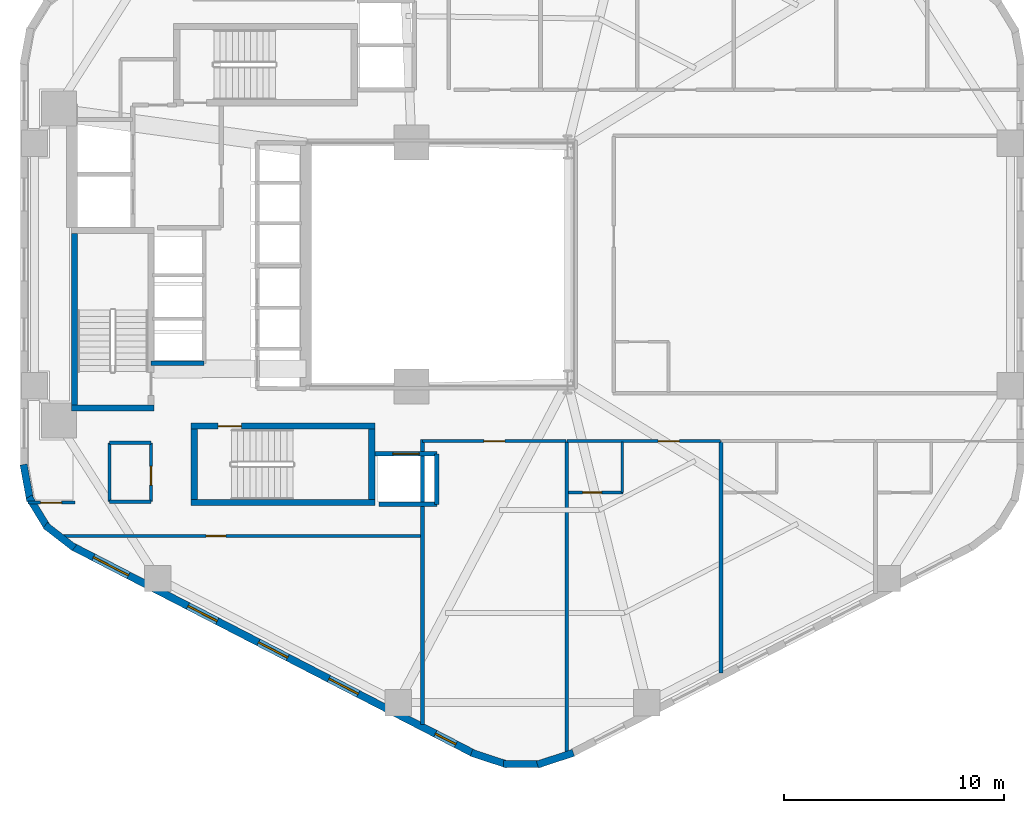
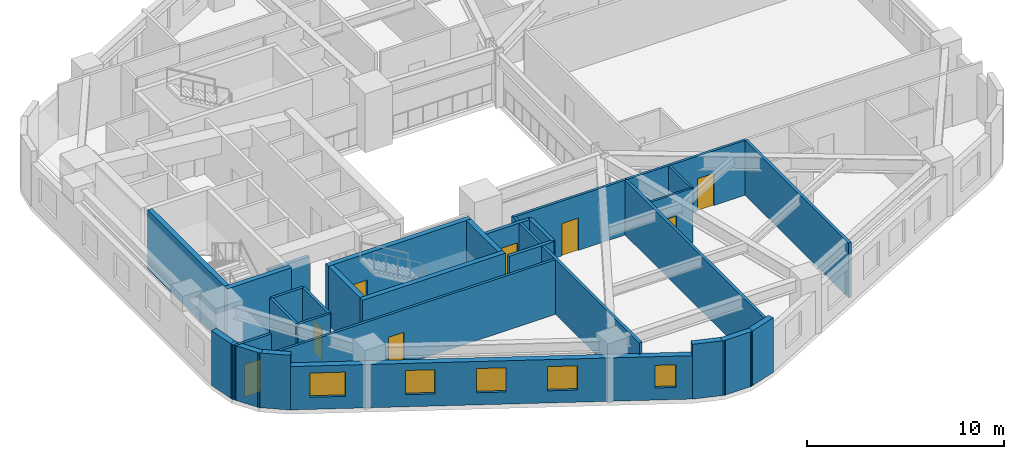
# One storey, part 2 of 7: 30 walls, 8 doors, 5 windows, 13 openings.
"""IFC4 building model written with IfcOpenShell, lengths in metres."""

from ifc_helpers import new_model, si_unit, direction, frame, frame_2d, origin, place, context, subcontext, project, spatial, rectangle, extrude, material, layer, layer_set, type_object, element, fill, save


model = new_model("IFC4")

# Units and contexts
model_context = context("Model", 3, precision=1e-05, world=origin(), true_north=direction((0.0, 1.0)))
body_context = subcontext(model_context, "Body", "Model", "MODEL_VIEW")
ifc_project = project(units=[si_unit("LENGTHUNIT", "METRE"), si_unit("AREAUNIT", "SQUARE_METRE"), si_unit("VOLUMEUNIT", "CUBIC_METRE"), si_unit("PLANEANGLEUNIT", "RADIAN"), si_unit("MASSUNIT", "GRAM", prefix="KILO"), si_unit("THERMODYNAMICTEMPERATUREUNIT", "KELVIN"), si_unit("POWERUNIT", "WATT")], contexts=[model_context])

# Site, building, storey
site_placement = place(None, origin())
site = spatial("IfcSite", under=ifc_project, at=site_placement, CompositionType="ELEMENT")
building_placement = place(site_placement, origin())
building = spatial("IfcBuilding", under=site, at=building_placement, Name="Skarre Station Tower", CompositionType="ELEMENT")
storey_placement = place(building_placement, frame((0.0, 0.0, 85.39990234375)))
storey = spatial("IfcBuildingStorey", under=building, at=storey_placement, Name="L22", CompositionType="ELEMENT", Elevation=85.39990234375)

# Walls
ifc_material_1 = material(Name="Acoustic Steel-Stud Gypsum Partition", Category="steel")
ifc_layer_1 = layer(ifc_material_1, 0.14990234375, Name="Acoustic Steel-Stud Gypsum Partition")
ifc_layer_set_1 = layer_set([ifc_layer_1], Name="Acoustic Steel-Stud Gypsum Partition")
wall_type_1 = type_object("IfcWallType", Name="Fire-Rated Corridor Acoustic Partition 150", PredefinedType="PARTITIONING", material=ifc_layer_set_1)
wall_1_placement = place(storey_placement, frame((18.60009765625, 15.8798828125, 0.0), z_axis=(0.0, 0.0, 1.0), x_axis=(0.0, -1.0, 0.0)))
element("IfcWall", 1, at=wall_1_placement, inside=storey, type_object=wall_type_1, Name="L22 Interior Partition WL-PT-L22-CSVC-W", PredefinedType="PARTITIONING", context=body_context, shape_type="SweptSolid", body=[
    extrude(rectangle(XDim=2.679931640625, YDim=0.14990234375, at=frame_2d((1.33984375, 0.0))), origin(), (0.0, 0.0, 1.0), 3.39013671875),
])
for number, where, z_axis, x_axis, name in (
    (2, (18.60009765625, 13.199951171875, 0.0), (0.0, 0.0, 1.0), (1.0, 0.0, 0.0), "L22 Interior Partition WL-PT-L22-CSVC-S"),
    (3, (18.60009765625, 15.8798828125, 0.0), (0.0, 0.0, 1.0), (1.0, 0.0, 0.0), "L22 Interior Partition WL-PT-L22-CSVC-N"),
):
    element("IfcWall", number, at=place(storey_placement, frame(where, z_axis=z_axis, x_axis=x_axis)), inside=storey, type_object=wall_type_1, Name=name, PredefinedType="PARTITIONING", context=body_context, shape_type="SweptSolid", body=[
        extrude(rectangle(XDim=1.889892578125, YDim=0.14990234375, at=frame_2d((0.94482421875, 0.0))), origin(), (0.0, 0.0, 1.0), 3.39013671875),
    ])

# Wall, opening, door
wall_2_placement = place(storey_placement, frame((20.489990234375, 13.199951171875, 0.0), z_axis=(0.0, 0.0, 1.0), x_axis=(0.0, 1.0, 0.0)))
wall_2 = element("IfcWall", 4, at=wall_2_placement, inside=storey, type_object=wall_type_1, Name="L22 Interior Partition WL-PT-L22-CSVC-E", PredefinedType="PARTITIONING", context=body_context, shape_type="SweptSolid", body=[
    extrude(rectangle(XDim=2.679931640625, YDim=0.14990234375, at=frame_2d((1.33984375, 0.0))), origin(), (0.0, 0.0, 1.0), 3.39013671875),
])
opening_1_placement = place(wall_2_placement, frame((0.75, 0.0, 0.0)))
opening_1 = element("IfcOpeningElement", 5, at=opening_1_placement, cuts=wall_2, Name="Opening DR-SVC86", PredefinedType="OPENING", context=body_context, shape_type="SweptSolid", body=[
    extrude(rectangle(XDim=0.860107421875, YDim=2.0, at=frame_2d((0.43017578125, 1.0))), frame((0.0, 0.0849609375, 0.0), z_axis=(0.0, -1.0, 0.0), x_axis=(1.0, 0.0, 0.0)), (0.0, 0.0, 1.0), 0.169921875),
])
ifc_material_2 = material(Name="Powder-Coated Hollow-Metal Acoustic Fire Leaf", Category="steel")
door_type_1 = type_object("IfcDoorType", Name="Compact Riser Fire Door FD60 860x2100", OperationType="SINGLE_SWING_LEFT", PredefinedType="DOOR", material=ifc_material_2)
door_1_placement = place(opening_1_placement, origin())
door_1 = element("IfcDoor", 6, at=door_1_placement, inside=storey, type_object=door_type_1, Name="L22 Supply Room Door", OperationType="SINGLE_SWING_LEFT", OverallHeight=2.0, OverallWidth=0.860107421875, PredefinedType="DOOR", context=body_context, shape_type="SweptSolid", body=[
    extrude(rectangle(XDim=0.860107421875, YDim=2.0, at=frame_2d((0.43017578125, 1.0))), frame((0.0, 0.02490234375, 0.0), z_axis=(0.0, -1.0, 0.0), x_axis=(1.0, 0.0, 0.0)), (0.0, 0.0, 1.0), 0.050048828125),
])
fill(opening_1, door_1)

wall_3_placement = place(storey_placement, frame((16.487060546875, 11.639892578125, 0.0), z_axis=(0.0, 0.0, 1.0), x_axis=(1.0, 0.0, 0.0)))
wall_3 = element("IfcWall", 7, at=wall_3_placement, inside=storey, type_object=wall_type_1, Name="L22 Interior Partition WL-PT-L22-SWP-N", PredefinedType="PARTITIONING", context=body_context, shape_type="SweptSolid", body=[
    extrude(rectangle(XDim=16.363037109375, YDim=0.14990234375, at=frame_2d((8.181640625, 0.0))), origin(), (0.0, 0.0, 1.0), 3.39013671875),
])
opening_2_placement = place(wall_3_placement, frame((6.512939453125, 0.0, 0.0)))
opening_2 = element("IfcOpeningElement", 8, at=opening_2_placement, cuts=wall_3, Name="Opening DR-SVC90", PredefinedType="OPENING", context=body_context, shape_type="SweptSolid", body=[
    extrude(rectangle(XDim=0.89990234375, YDim=2.0, at=frame_2d((0.449951171875, 1.0))), frame((0.0, 0.0849609375, 0.0), z_axis=(0.0, -1.0, 0.0), x_axis=(1.0, 0.0, 0.0)), (0.0, 0.0, 1.0), 0.169921875),
])
door_type_2 = type_object("IfcDoorType", Name="Service & Riser Fire Door FD60 900x2100", OperationType="SINGLE_SWING_LEFT", PredefinedType="DOOR", material=ifc_material_2)
door_2_placement = place(opening_2_placement, origin())
door_2 = element("IfcDoor", 9, at=door_2_placement, inside=storey, type_object=door_type_2, Name="L22 Floor Public Toilets Door", OperationType="SINGLE_SWING_LEFT", OverallHeight=2.0, OverallWidth=0.89990234375, PredefinedType="DOOR", context=body_context, shape_type="SweptSolid", body=[
    extrude(rectangle(XDim=0.89990234375, YDim=2.0, at=frame_2d((0.449951171875, 1.0))), frame((0.0, 0.02490234375, 0.0), z_axis=(0.0, -1.0, 0.0), x_axis=(1.0, 0.0, 0.0)), (0.0, 0.0, 1.0), 0.050048828125),
])
fill(opening_2, door_2)

wall_4_placement = place(storey_placement, frame((17.02001953125, 13.159912109375, 0.0), z_axis=(0.0, 0.0, 1.0), x_axis=(-1.0, 0.0, 0.0)))
wall_4 = element("IfcWall", 10, at=wall_4_placement, inside=storey, type_object=wall_type_1, Name="L22 Interior Partition WL-PT-L22-WW1-CW", PredefinedType="PARTITIONING", context=body_context, shape_type="SweptSolid", body=[
    extrude(rectangle(XDim=2.1201171875, YDim=0.14990234375, at=frame_2d((1.06005859375, 0.0))), origin(), (0.0, 0.0, 1.0), 3.39013671875),
])
opening_3_placement = place(wall_4_placement, frame((0.596923828125, 0.0, 0.0)))
opening_3 = element("IfcOpeningElement", 11, at=opening_3_placement, cuts=wall_4, Name="Opening DR-FD60", PredefinedType="OPENING", context=body_context, shape_type="SweptSolid", body=[
    extrude(rectangle(XDim=0.9599609375, YDim=2.0, at=frame_2d((0.47998046875, 1.0))), frame((0.0, 0.0849609375, 0.0), z_axis=(0.0, -1.0, 0.0), x_axis=(1.0, 0.0, 0.0)), (0.0, 0.0, 1.0), 0.169921875),
])
ifc_material_3 = material(Name="Nordic White-Oak Veneer Solid-Core Fire Leaf", Category="wood")
door_type_3 = type_object("IfcDoorType", Name="Corridor Suite Entry Fire Door FD60 960x2150", OperationType="SINGLE_SWING_LEFT", PredefinedType="DOOR", material=ifc_material_3)
door_3_placement = place(opening_3_placement, origin())
door_3 = element("IfcDoor", 12, at=door_3_placement, inside=storey, type_object=door_type_3, Name="L22 WW1 Entry Door", OperationType="SINGLE_SWING_LEFT", OverallHeight=2.0, OverallWidth=0.9599609375, PredefinedType="DOOR", context=body_context, shape_type="SweptSolid", body=[
    extrude(rectangle(XDim=0.9599609375, YDim=2.0, at=frame_2d((0.47998046875, 1.0))), frame((0.0, 0.02490234375, 0.0), z_axis=(0.0, -1.0, 0.0), x_axis=(1.0, 0.0, 0.0)), (0.0, 0.0, 1.0), 0.050048828125),
])
fill(opening_3, door_3)

wall_5_placement = place(storey_placement, frame((32.85009765625, 15.9599609375, 0.0), z_axis=(0.0, 0.0, 1.0), x_axis=(1.0, 0.0, 0.0)))
wall_5 = element("IfcWall", 13, at=wall_5_placement, inside=storey, type_object=wall_type_1, Name="L22 Interior Partition WL-PT-L22-SW1-CW", PredefinedType="PARTITIONING", context=body_context, shape_type="SweptSolid", body=[
    extrude(rectangle(XDim=6.5419921875, YDim=0.14990234375, at=frame_2d((3.27099609375, 0.0))), origin(), (0.0, 0.0, 1.0), 3.39013671875),
])
opening_4_placement = place(wall_5_placement, frame((2.791015625, 0.0, 0.0)))
opening_4 = element("IfcOpeningElement", 14, at=opening_4_placement, cuts=wall_5, Name="Opening DR-FD60", PredefinedType="OPENING", context=body_context, shape_type="SweptSolid", body=[
    extrude(rectangle(XDim=0.9599609375, YDim=2.0, at=frame_2d((0.47998046875, 1.0))), frame((0.0, 0.0849609375, 0.0), z_axis=(0.0, -1.0, 0.0), x_axis=(1.0, 0.0, 0.0)), (0.0, 0.0, 1.0), 0.169921875),
])
door_4_placement = place(opening_4_placement, origin())
door_4 = element("IfcDoor", 15, at=door_4_placement, inside=storey, type_object=door_type_3, Name="L22 SW1 Entry Door", OperationType="SINGLE_SWING_LEFT", OverallHeight=2.0, OverallWidth=0.9599609375, PredefinedType="DOOR", context=body_context, shape_type="SweptSolid", body=[
    extrude(rectangle(XDim=0.9599609375, YDim=2.0, at=frame_2d((0.47998046875, 1.0))), frame((0.0, 0.02490234375, 0.0), z_axis=(0.0, -1.0, 0.0), x_axis=(1.0, 0.0, 0.0)), (0.0, 0.0, 1.0), 0.050048828125),
])
fill(opening_4, door_4)

wall_6_placement = place(storey_placement, frame((39.427978515625, 15.9599609375, 0.0), z_axis=(0.0, 0.0, 1.0), x_axis=(1.0, 0.0, 0.0)))
wall_6 = element("IfcWall", 16, at=wall_6_placement, inside=storey, type_object=wall_type_1, Name="L22 Interior Partition WL-PT-L22-SW2-CW", PredefinedType="PARTITIONING", context=body_context, shape_type="SweptSolid", body=[
    extrude(rectangle(XDim=6.99609375, YDim=0.14990234375, at=frame_2d((3.498046875, 0.0))), origin(), (0.0, 0.0, 1.0), 3.39013671875),
])
opening_5_placement = place(wall_6_placement, frame((4.153076171875, 0.0, 0.0)))
opening_5 = element("IfcOpeningElement", 17, at=opening_5_placement, cuts=wall_6, Name="Opening DR-FD60", PredefinedType="OPENING", context=body_context, shape_type="SweptSolid", body=[
    extrude(rectangle(XDim=0.9599609375, YDim=2.0, at=frame_2d((0.47998046875, 1.0))), frame((0.0, 0.0849609375, 0.0), z_axis=(0.0, -1.0, 0.0), x_axis=(1.0, 0.0, 0.0)), (0.0, 0.0, 1.0), 0.169921875),
])
door_5_placement = place(opening_5_placement, origin())
door_5 = element("IfcDoor", 18, at=door_5_placement, inside=storey, type_object=door_type_3, Name="L22 SW2 Entry Door", OperationType="SINGLE_SWING_LEFT", OverallHeight=2.0, OverallWidth=0.9599609375, PredefinedType="DOOR", context=body_context, shape_type="SweptSolid", body=[
    extrude(rectangle(XDim=0.9599609375, YDim=2.0, at=frame_2d((0.47998046875, 1.0))), frame((0.0, 0.02490234375, 0.0), z_axis=(0.0, -1.0, 0.0), x_axis=(1.0, 0.0, 0.0)), (0.0, 0.0, 1.0), 0.050048828125),
])
fill(opening_5, door_5)

ifc_material_4 = material(Name="Insulated Timber-Stud Gypsum Partition", Category="wood")
ifc_layer_2 = layer(ifc_material_4, 0.1201171875, Name="Insulated Timber-Stud Gypsum Partition")
ifc_layer_set_2 = layer_set([ifc_layer_2], Name="Insulated Timber-Stud Gypsum Partition")
wall_type_2 = type_object("IfcWallType", Name="Internal Suite Acoustic Partition 120", PredefinedType="PARTITIONING", material=ifc_layer_set_2)
wall_7_placement = place(storey_placement, frame((39.4951171875, 13.6201171875, 0.0), z_axis=(0.0, 0.0, 1.0), x_axis=(1.0, 0.0, 0.0)))
wall_7 = element("IfcWall", 19, at=wall_7_placement, inside=storey, type_object=wall_type_2, Name="L22 Interior Partition WL-PT-L22-SW2-SA1", PredefinedType="PARTITIONING", context=body_context, shape_type="SweptSolid", body=[
    extrude(rectangle(XDim=2.47998046875, YDim=0.1201171875, at=frame_2d((1.239990234375, 0.0))), origin(), (0.0, 0.0, 1.0), 3.39013671875),
])
opening_6_placement = place(wall_7_placement, frame((0.64990234375, 0.0, 0.0)))
opening_6 = element("IfcOpeningElement", 20, at=opening_6_placement, cuts=wall_7, Name="Opening DR-INT86", PredefinedType="OPENING", context=body_context, shape_type="SweptSolid", body=[
    extrude(rectangle(XDim=0.860107421875, YDim=2.0, at=frame_2d((0.43017578125, 1.0))), frame((0.0, 0.070068359375, 0.0), z_axis=(0.0, -1.0, 0.0), x_axis=(1.0, 0.0, 0.0)), (0.0, 0.0, 1.0), 0.14013671875),
])
ifc_material_5 = material(Name="Nordic Birch Acoustic Solid-Core Timber Leaf", Category="wood")
door_type_4 = type_object("IfcDoorType", Name="Internal En-Suite & Bedroom Door 860x2100", OperationType="SINGLE_SWING_LEFT", PredefinedType="DOOR", material=ifc_material_5)
door_6_placement = place(opening_6_placement, origin())
door_6 = element("IfcDoor", 21, at=door_6_placement, inside=storey, type_object=door_type_4, Name="L22 SW2 Alcove Store Door", OperationType="SINGLE_SWING_LEFT", OverallHeight=2.0, OverallWidth=0.860107421875, PredefinedType="DOOR", context=body_context, shape_type="SweptSolid", body=[
    extrude(rectangle(XDim=0.860107421875, YDim=2.0, at=frame_2d((0.43017578125, 1.0))), frame((0.0, 0.02490234375, 0.0), z_axis=(0.0, -1.0, 0.0), x_axis=(1.0, 0.0, 0.0)), (0.0, 0.0, 1.0), 0.050048828125),
])
fill(opening_6, door_6)

# Wall
wall_8_placement = place(storey_placement, frame((41.945068359375, 13.6201171875, 0.0), z_axis=(0.0, 0.0, 1.0), x_axis=(0.0, 1.0, 0.0)))
element("IfcWall", 22, at=wall_8_placement, inside=storey, type_object=wall_type_2, Name="L22 Interior Partition WL-PT-L22-SW2-SA2", PredefinedType="PARTITIONING", context=body_context, shape_type="SweptSolid", body=[
    extrude(rectangle(XDim=2.2998046875, YDim=0.1201171875, at=frame_2d((1.14990234375, 0.0))), origin(), (0.0, 0.0, 1.0), 3.39013671875),
])

# Wall, openings, windows
ifc_material_6 = material(Name="Precast concrete C45/55", Category="concrete")
ifc_layer_3 = layer(ifc_material_6, 0.340087890625, Name="Precast concrete C45/55")
ifc_layer_set_3 = layer_set([ifc_layer_3], Name="Precast concrete C45/55")
wall_type_3 = type_object("IfcWallType", Name="Nordic Honed Precast Facet Wall 340", PredefinedType="STANDARD", material=ifc_layer_set_3)
wall_9_placement = place(storey_placement, frame((35.1689453125, 1.742919921875, 0.0), z_axis=(0.0, 0.0, 1.0), x_axis=(-0.888634413993, 0.458616264721, 0.0)))
wall_9 = element("IfcWall", 23, at=wall_9_placement, inside=storey, type_object=wall_type_3, Name="L22 Facet 3 Nordic Precast Masonry Wall", PredefinedType="STANDARD", context=body_context, shape_type="SweptSolid", body=[
    extrude(rectangle(XDim=20.53125, YDim=0.340087890625, at=frame_2d((10.265625, 0.0))), origin(), (0.0, 0.0, 1.0), 2.68408203125),
])
opening_7_placement = place(wall_9_placement, frame((0.902099609375, 0.0, 0.75)))
opening_7 = element("IfcOpeningElement", 24, at=opening_7_placement, cuts=wall_9, Name="Opening WN-SLT", PredefinedType="OPENING", context=body_context, shape_type="SweptSolid", body=[
    extrude(rectangle(XDim=1.050048828125, YDim=1.39990234375, at=frame_2d((0.52490234375, 0.699951171875))), frame((0.0, 0.179931640625, 0.0), z_axis=(0.0, -1.0, 0.0), x_axis=(1.0, 0.0, 0.0)), (0.0, 0.0, 1.0), 0.360107421875),
])
opening_8_placement = place(wall_9_placement, frame((5.903076171875, 0.0, 0.75)))
opening_8 = element("IfcOpeningElement", 25, at=opening_8_placement, cuts=wall_9, Name="Opening WN-Z1B", PredefinedType="OPENING", context=body_context, shape_type="SweptSolid", body=[
    extrude(rectangle(XDim=1.5, YDim=1.5, at=frame_2d((0.75, 0.75))), frame((0.0, 0.179931640625, 0.0), z_axis=(0.0, -1.0, 0.0), x_axis=(1.0, 0.0, 0.0)), (0.0, 0.0, 1.0), 0.360107421875),
])
opening_9_placement = place(wall_9_placement, frame((9.51611328125, 0.0, 0.75)))
opening_9 = element("IfcOpeningElement", 26, at=opening_9_placement, cuts=wall_9, Name="Opening WN-Z1B", PredefinedType="OPENING", context=body_context, shape_type="SweptSolid", body=[
    extrude(rectangle(XDim=1.5, YDim=1.5, at=frame_2d((0.75, 0.75))), frame((0.0, 0.179931640625, 0.0), z_axis=(0.0, -1.0, 0.0), x_axis=(1.0, 0.0, 0.0)), (0.0, 0.0, 1.0), 0.360107421875),
])
opening_10_placement = place(wall_9_placement, frame((13.12890625, 0.0, 0.75)))
opening_10 = element("IfcOpeningElement", 27, at=opening_10_placement, cuts=wall_9, Name="Opening WN-Z1B", PredefinedType="OPENING", context=body_context, shape_type="SweptSolid", body=[
    extrude(rectangle(XDim=1.5, YDim=1.5, at=frame_2d((0.75, 0.75))), frame((0.0, 0.179931640625, 0.0), z_axis=(0.0, -1.0, 0.0), x_axis=(1.0, 0.0, 0.0)), (0.0, 0.0, 1.0), 0.360107421875),
])
opening_11_placement = place(wall_9_placement, frame((17.673095703125, 0.0, 0.75)))
opening_11 = element("IfcOpeningElement", 28, at=opening_11_placement, cuts=wall_9, Name="Opening WN-Z1A", PredefinedType="OPENING", context=body_context, shape_type="SweptSolid", body=[
    extrude(rectangle(XDim=1.800048828125, YDim=1.5, at=frame_2d((0.89990234375, 0.75))), frame((0.0, 0.179931640625, 0.0), z_axis=(0.0, -1.0, 0.0), x_axis=(1.0, 0.0, 0.0)), (0.0, 0.0, 1.0), 0.360107421875),
])
ifc_material_7 = material(Name="Low-Iron Triple Glazing with Bronze Anodized Frame", Category="glass")
window_type_1 = type_object("IfcWindowType", Name="Nordic Corner Slot Window 1050x1400", PartitioningType="SINGLE_PANEL", PredefinedType="WINDOW", material=ifc_material_7)
window_1_placement = place(opening_7_placement, origin())
window_1 = element("IfcWindow", 29, at=window_1_placement, inside=storey, type_object=window_type_1, Name="L22 Facade Window WL-FAC-L22-F3-1", OverallHeight=1.39990234375, OverallWidth=1.050048828125, PartitioningType="SINGLE_PANEL", PredefinedType="WINDOW", context=body_context, shape_type="SweptSolid", body=[
    extrude(rectangle(XDim=1.050048828125, YDim=1.39990234375, at=frame_2d((0.52490234375, 0.699951171875))), frame((0.0, 0.030029296875, 0.0), z_axis=(0.0, -1.0, 0.0), x_axis=(1.0, 0.0, 0.0)), (0.0, 0.0, 1.0), 0.06005859375),
])
fill(opening_7, window_1)
window_type_2 = type_object("IfcWindowType", Name="Nordic Punched Triple-Glazed Window 1500x1500", PartitioningType="SINGLE_PANEL", PredefinedType="WINDOW", material=ifc_material_7)
window_2_placement = place(opening_8_placement, origin())
window_2 = element("IfcWindow", 30, at=window_2_placement, inside=storey, type_object=window_type_2, Name="L22 Facade Window WL-FAC-L22-F3-2", OverallHeight=1.5, OverallWidth=1.5, PartitioningType="SINGLE_PANEL", PredefinedType="WINDOW", context=body_context, shape_type="SweptSolid", body=[
    extrude(rectangle(XDim=1.5, YDim=1.5, at=frame_2d((0.75, 0.75))), frame((0.0, 0.030029296875, 0.0), z_axis=(0.0, -1.0, 0.0), x_axis=(1.0, 0.0, 0.0)), (0.0, 0.0, 1.0), 0.06005859375),
])
fill(opening_8, window_2)
window_3_placement = place(opening_9_placement, origin())
window_3 = element("IfcWindow", 31, at=window_3_placement, inside=storey, type_object=window_type_2, Name="L22 Facade Window WL-FAC-L22-F3-3", OverallHeight=1.5, OverallWidth=1.5, PartitioningType="SINGLE_PANEL", PredefinedType="WINDOW", context=body_context, shape_type="SweptSolid", body=[
    extrude(rectangle(XDim=1.5, YDim=1.5, at=frame_2d((0.75, 0.75))), frame((0.0, 0.030029296875, 0.0), z_axis=(0.0, -1.0, 0.0), x_axis=(1.0, 0.0, 0.0)), (0.0, 0.0, 1.0), 0.06005859375),
])
fill(opening_9, window_3)
window_4_placement = place(opening_10_placement, origin())
window_4 = element("IfcWindow", 32, at=window_4_placement, inside=storey, type_object=window_type_2, Name="L22 Facade Window WL-FAC-L22-F3-4", OverallHeight=1.5, OverallWidth=1.5, PartitioningType="SINGLE_PANEL", PredefinedType="WINDOW", context=body_context, shape_type="SweptSolid", body=[
    extrude(rectangle(XDim=1.5, YDim=1.5, at=frame_2d((0.75, 0.75))), frame((0.0, 0.030029296875, 0.0), z_axis=(0.0, -1.0, 0.0), x_axis=(1.0, 0.0, 0.0)), (0.0, 0.0, 1.0), 0.06005859375),
])
fill(opening_10, window_4)
window_type_3 = type_object("IfcWindowType", Name="Nordic Punched Triple-Glazed Window 1800x1500", PartitioningType="SINGLE_PANEL", PredefinedType="WINDOW", material=ifc_material_7)
window_5_placement = place(opening_11_placement, origin())
window_5 = element("IfcWindow", 33, at=window_5_placement, inside=storey, type_object=window_type_3, Name="L22 Facade Window WL-FAC-L22-F3-5", OverallHeight=1.5, OverallWidth=1.800048828125, PartitioningType="SINGLE_PANEL", PredefinedType="WINDOW", context=body_context, shape_type="SweptSolid", body=[
    extrude(rectangle(XDim=1.800048828125, YDim=1.5, at=frame_2d((0.89990234375, 0.75))), frame((0.0, 0.030029296875, 0.0), z_axis=(0.0, -1.0, 0.0), x_axis=(1.0, 0.0, 0.0)), (0.0, 0.0, 1.0), 0.06005859375),
])
fill(opening_11, window_5)

# Walls
ifc_layer_4 = layer(ifc_material_6, 0.330078125, Name="Precast concrete C45/55")
ifc_layer_set_4 = layer_set([ifc_layer_4], Name="Precast concrete C45/55")
wall_type_4 = type_object("IfcWallType", Name="Nordic Rounded Corner Precast Wall 330", PredefinedType="STANDARD", material=ifc_layer_set_4)
wall_10_placement = place(storey_placement, frame((16.998046875, 11.09912109375, 0.0), z_axis=(0.0, 0.0, 1.0), x_axis=(-0.790691856293, 0.61221433207, 0.0)))
element("IfcWall", 34, at=wall_10_placement, inside=storey, type_object=wall_type_4, Name="L22 Rounded Corner Precast Wall F3-1", PredefinedType="STANDARD", context=body_context, shape_type="SweptSolid", body=[
    extrude(rectangle(XDim=1.67578125, YDim=0.330078125, at=frame_2d((0.837890625, 0.0))), origin(), (0.0, 0.0, 1.0), 3.39013671875),
])
wall_11_placement = place(storey_placement, frame((15.798095703125, 11.985107421875, 0.0), z_axis=(0.0, 0.0, 1.0), x_axis=(-0.520584129191, 0.853810379671, 0.0)))
element("IfcWall", 35, at=wall_11_placement, inside=storey, type_object=wall_type_4, Name="L22 Rounded Corner Precast Wall F3-2", PredefinedType="STANDARD", context=body_context, shape_type="SweptSolid", body=[
    extrude(rectangle(XDim=1.677001953125, YDim=0.330078125, at=frame_2d((0.83837890625, 0.0))), origin(), (0.0, 0.0, 1.0), 3.39013671875),
])
wall_12_placement = place(storey_placement, frame((14.991943359375, 13.241943359375, 0.0), z_axis=(0.0, 0.0, 1.0), x_axis=(-0.181714143354, 0.983351397063, 0.0)))
element("IfcWall", 36, at=wall_12_placement, inside=storey, type_object=wall_type_4, Name="L22 Rounded Corner Precast Wall F3-3", PredefinedType="STANDARD", context=body_context, shape_type="SweptSolid", body=[
    extrude(rectangle(XDim=1.677978515625, YDim=0.330078125, at=frame_2d((0.8388671875, 0.0))), origin(), (0.0, 0.0, 1.0), 3.39013671875),
])
wall_13_placement = place(storey_placement, frame((39.718994140625, 1.76904296875, 0.0), z_axis=(0.0, 0.0, 1.0), x_axis=(-0.94976901097, -0.312951794691, 0.0)))
element("IfcWall", 37, at=wall_13_placement, inside=storey, type_object=wall_type_4, Name="L22 Rounded Corner Precast Wall F4-1", PredefinedType="STANDARD", context=body_context, shape_type="SweptSolid", body=[
    extrude(rectangle(XDim=1.722412109375, YDim=0.330078125, at=frame_2d((0.861328125, 0.0))), origin(), (0.0, 0.0, 1.0), 3.39013671875),
])
wall_14_placement = place(storey_placement, frame((38.260986328125, 1.259033203125, 0.0), z_axis=(0.0, 0.0, 1.0), x_axis=(-1.0, 0.0, 0.0)))
element("IfcWall", 38, at=wall_14_placement, inside=storey, type_object=wall_type_4, Name="L22 Rounded Corner Precast Wall F4-2", PredefinedType="STANDARD", context=body_context, shape_type="SweptSolid", body=[
    extrude(rectangle(XDim=1.721923828125, YDim=0.330078125, at=frame_2d((0.86083984375, 0.0))), origin(), (0.0, 0.0, 1.0), 3.39013671875),
])
wall_15_placement = place(storey_placement, frame((36.717041015625, 1.22998046875, 0.0), z_axis=(0.0, 0.0, 1.0), x_axis=(-0.94976901097, 0.312951794691, 0.0)))
element("IfcWall", 39, at=wall_15_placement, inside=storey, type_object=wall_type_4, Name="L22 Rounded Corner Precast Wall F4-3", PredefinedType="STANDARD", context=body_context, shape_type="SweptSolid", body=[
    extrude(rectangle(XDim=1.722412109375, YDim=0.330078125, at=frame_2d((0.861328125, 0.0))), origin(), (0.0, 0.0, 1.0), 3.39013671875),
])
ifc_material_8 = material(Name="Concrete C50/60", Category="concrete")
ifc_layer_5 = layer(ifc_material_8, 0.280029296875, Name="Concrete C50/60")
ifc_layer_set_5 = layer_set([ifc_layer_5], Name="Concrete C50/60")
wall_type_5 = type_object("IfcWallType", Name="RC Core Shear Wall 280", PredefinedType="SHEAR", material=ifc_layer_set_5)
wall_16_placement = place(storey_placement, frame((16.8701171875, 17.4599609375, 0.0), z_axis=(0.0, 0.0, 1.0), x_axis=(1.0, 0.0, 0.0)))
element("IfcWall", 40, at=wall_16_placement, inside=storey, type_object=wall_type_5, Name="L22 Stair ST-1 South Shear Wall", PredefinedType="SHEAR", context=body_context, shape_type="SweptSolid", body=[
    extrude(rectangle(XDim=3.759765625, YDim=0.280029296875, at=frame_2d((1.8798828125, 0.0))), origin(), (0.0, 0.0, 1.0), 3.650146484375),
])
wall_17_placement = place(storey_placement, frame((17.010009765625, 25.39990234375, 0.0), z_axis=(0.0, 0.0, 1.0), x_axis=(0.0, -1.0, 0.0)))
element("IfcWall", 41, at=wall_17_placement, inside=storey, type_object=wall_type_5, Name="L22 Stair ST-1 West Shear Wall", PredefinedType="SHEAR", context=body_context, shape_type="SweptSolid", body=[
    extrude(rectangle(XDim=7.7998046875, YDim=0.280029296875, at=frame_2d((3.89990234375, 0.0))), origin(), (0.0, 0.0, 1.0), 3.650146484375),
])
wall_18_placement = place(storey_placement, frame((22.320068359375, 13.159912109375, 0.0), z_axis=(0.0, 0.0, 1.0), x_axis=(1.0, 0.0, 0.0)))
element("IfcWall", 42, at=wall_18_placement, inside=storey, type_object=wall_type_5, Name="L22 Stair ST-2 South Shear Wall", PredefinedType="SHEAR", context=body_context, shape_type="SweptSolid", body=[
    extrude(rectangle(XDim=8.35986328125, YDim=0.280029296875, at=frame_2d((4.179931640625, 0.0))), origin(), (0.0, 0.0, 1.0), 3.650146484375),
])

# Wall, opening, door
wall_19_placement = place(storey_placement, frame((30.679931640625, 16.639892578125, 0.0), z_axis=(0.0, 0.0, 1.0), x_axis=(-1.0, 0.0, 0.0)))
wall_19 = element("IfcWall", 43, at=wall_19_placement, inside=storey, type_object=wall_type_5, Name="L22 Stair ST-2 North Shear Wall", PredefinedType="SHEAR", context=body_context, shape_type="SweptSolid", body=[
    extrude(rectangle(XDim=8.35986328125, YDim=0.280029296875, at=frame_2d((4.179931640625, 0.0))), origin(), (0.0, 0.0, 1.0), 3.650146484375),
])
opening_12_placement = place(wall_19_placement, frame((6.080078125, 0.0, 0.0)))
opening_12 = element("IfcOpeningElement", 44, at=opening_12_placement, cuts=wall_19, Name="Opening DR-FD90", PredefinedType="OPENING", context=body_context, shape_type="SweptSolid", body=[
    extrude(rectangle(XDim=1.050048828125, YDim=2.0, at=frame_2d((0.52490234375, 1.0))), frame((0.0, 0.14990234375, 0.0), z_axis=(0.0, -1.0, 0.0), x_axis=(1.0, 0.0, 0.0)), (0.0, 0.0, 1.0), 0.300048828125),
])
ifc_material_9 = material(Name="Fire-Rated Insulated Steel Frame & Timber Core Leaf", Category="steel")
door_type_5 = type_object("IfcDoorType", Name="Stair & FSAE Lobby Fire Door FD90 1050x2150", OperationType="SINGLE_SWING_RIGHT", PredefinedType="DOOR", material=ifc_material_9)
door_7_placement = place(opening_12_placement, origin())
door_7 = element("IfcDoor", 45, at=door_7_placement, inside=storey, type_object=door_type_5, Name="L22 Stair ST-2 Exit Door", OperationType="SINGLE_SWING_RIGHT", OverallHeight=2.0, OverallWidth=1.050048828125, PredefinedType="DOOR", context=body_context, shape_type="SweptSolid", body=[
    extrude(rectangle(XDim=1.050048828125, YDim=2.0, at=frame_2d((0.52490234375, 1.0))), frame((0.0, 0.02490234375, 0.0), z_axis=(0.0, -1.0, 0.0), x_axis=(1.0, 0.0, 0.0)), (0.0, 0.0, 1.0), 0.050048828125),
])
fill(opening_12, door_7)

# Walls
for number, where, z_axis, x_axis, name in (
    (46, (22.4599609375, 16.5, 0.0), (0.0, 0.0, 1.0), (0.0, -1.0, 0.0), "L22 Stair ST-2 West Shear Wall"),
    (47, (30.5400390625, 13.300048828125, 0.0), (0.0, 0.0, 1.0), (0.0, 1.0, 0.0), "L22 Stair ST-2 East Shear Wall"),
):
    element("IfcWall", number, at=place(storey_placement, frame(where, z_axis=z_axis, x_axis=x_axis)), inside=storey, type_object=wall_type_5, Name=name, PredefinedType="SHEAR", context=body_context, shape_type="SweptSolid", body=[
        extrude(rectangle(XDim=3.199951171875, YDim=0.280029296875, at=frame_2d((1.60009765625, 0.0))), origin(), (0.0, 0.0, 1.0), 3.650146484375),
    ])

# Wall, opening, door
ifc_material_10 = material(Name="Gypsum Concrete Shaft Assembly C30/37", Category="concrete")
ifc_layer_6 = layer(ifc_material_10, 0.199951171875, Name="Gypsum Concrete Shaft Assembly C30/37")
ifc_layer_set_6 = layer_set([ifc_layer_6], Name="Gypsum Concrete Shaft Assembly C30/37")
wall_type_6 = type_object("IfcWallType", Name="Shaft & Core Fire Partition 200", PredefinedType="PARTITIONING", material=ifc_layer_set_6)
wall_20_placement = place(storey_placement, frame((33.5, 15.3798828125, 0.0), z_axis=(0.0, 0.0, 1.0), x_axis=(-1.0, 0.0, 0.0)))
wall_20 = element("IfcWall", 48, at=wall_20_placement, inside=storey, type_object=wall_type_6, Name="L22 Interior Partition WL-PT-L22-SV1-N", PredefinedType="PARTITIONING", context=body_context, shape_type="SweptSolid", body=[
    extrude(rectangle(XDim=2.820068359375, YDim=0.199951171875, at=frame_2d((1.41015625, 0.0))), origin(), (0.0, 0.0, 1.0), 3.39013671875),
])
opening_13_placement = place(wall_20_placement, frame((0.800048828125, 0.0, 0.0)))
opening_13 = element("IfcOpeningElement", 49, at=opening_13_placement, cuts=wall_20, Name="Opening LD-SV1", PredefinedType="OPENING", context=body_context, shape_type="SweptSolid", body=[
    extrude(rectangle(XDim=1.199951171875, YDim=2.199951171875, at=frame_2d((0.60009765625, 1.10009765625))), frame((0.0, 0.10986328125, 0.0), z_axis=(0.0, -1.0, 0.0), x_axis=(1.0, 0.0, 0.0)), (0.0, 0.0, 1.0), 0.219970703125),
])
ifc_material_11 = material(Name="Heavy-Gauge Brushed Stainless Steel Sliding Leaves", Category="steel")
door_type_6 = type_object("IfcDoorType", Name="Service Elevator Wide Sliding Landing Door 1200x2200", OperationType="SLIDING_TO_RIGHT", PredefinedType="DOOR", material=ifc_material_11)
door_8_placement = place(opening_13_placement, origin())
door_8 = element("IfcDoor", 50, at=door_8_placement, inside=storey, type_object=door_type_6, Name="L22 Service Lift LF-SV1 Landing Door", OperationType="SLIDING_TO_RIGHT", OverallHeight=2.199951171875, OverallWidth=1.199951171875, PredefinedType="DOOR", context=body_context, shape_type="SweptSolid", body=[
    extrude(rectangle(XDim=1.199951171875, YDim=2.199951171875, at=frame_2d((0.60009765625, 1.10009765625))), frame((0.0, 0.02490234375, 0.0), z_axis=(0.0, -1.0, 0.0), x_axis=(1.0, 0.0, 0.0)), (0.0, 0.0, 1.0), 0.050048828125),
])
fill(opening_13, door_8)

# Walls
wall_21_placement = place(storey_placement, frame((33.5, 13.080078125, 0.0), z_axis=(0.0, 0.0, 1.0), x_axis=(0.0, 1.0, 0.0)))
element("IfcWall", 51, at=wall_21_placement, inside=storey, type_object=wall_type_6, Name="L22 Interior Partition WL-PT-L22-SV1-E", PredefinedType="PARTITIONING", context=body_context, shape_type="SweptSolid", body=[
    extrude(rectangle(XDim=2.2998046875, YDim=0.199951171875, at=frame_2d((1.14990234375, 0.0))), origin(), (0.0, 0.0, 1.0), 3.39013671875),
])
wall_22_placement = place(storey_placement, frame((30.87890625, 13.080078125, 0.0), z_axis=(0.0, 0.0, 1.0), x_axis=(1.0, 0.0, 0.0)))
element("IfcWall", 52, at=wall_22_placement, inside=storey, type_object=wall_type_6, Name="L22 Interior Partition WL-PT-L22-SV1-S", PredefinedType="PARTITIONING", context=body_context, shape_type="SweptSolid", body=[
    extrude(rectangle(XDim=2.62109375, YDim=0.199951171875, at=frame_2d((1.310546875, 0.0))), origin(), (0.0, 0.0, 1.0), 3.39013671875),
])
wall_23_placement = place(storey_placement, frame((20.489990234375, 19.5, 0.0), z_axis=(0.0, 0.0, 1.0), x_axis=(1.0, 0.0, 0.0)))
element("IfcWall", 53, at=wall_23_placement, inside=storey, type_object=wall_type_6, Name="L22 Interior Partition WL-PT-L22-B3-S", PredefinedType="PARTITIONING", context=body_context, shape_type="SweptSolid", body=[
    extrude(rectangle(XDim=2.409912109375, YDim=0.199951171875, at=frame_2d((1.205078125, 0.0))), origin(), (0.0, 0.0, 1.0), 2.2900390625),
])
ifc_layer_7 = layer(ifc_material_1, 0.1650390625, Name="Acoustic Steel-Stud Gypsum Partition")
ifc_layer_set_7 = layer_set([ifc_layer_7], Name="Acoustic Steel-Stud Gypsum Partition")
wall_type_7 = type_object("IfcWallType", Name="Suite Demising Acoustic Partition 165", PredefinedType="PARTITIONING", material=ifc_layer_set_7)
wall_24_placement = place(storey_placement, frame((32.85009765625, 3.06396484375, 0.0), z_axis=(0.0, 0.0, 1.0), x_axis=(0.0, 1.0, 0.0)))
element("IfcWall", 54, at=wall_24_placement, inside=storey, type_object=wall_type_7, Name="L22 Interior Partition WL-PT-L22-SWP-E", PredefinedType="PARTITIONING", context=body_context, shape_type="SweptSolid", body=[
    extrude(rectangle(XDim=12.966064453125, YDim=0.1650390625, at=frame_2d((6.48291015625, 0.0))), origin(), (0.0, 0.0, 1.0), 3.39013671875),
])
wall_25_placement = place(storey_placement, frame((39.409912109375, 1.799072265625, 0.0), z_axis=(0.0, 0.0, 1.0), x_axis=(0.0, 1.0, 0.0)))
element("IfcWall", 55, at=wall_25_placement, inside=storey, type_object=wall_type_7, Name="L22 Interior Partition WL-PT-L22-SW-P1", PredefinedType="PARTITIONING", context=body_context, shape_type="SweptSolid", body=[
    extrude(rectangle(XDim=14.130859375, YDim=0.1650390625, at=frame_2d((7.0654296875, 0.0))), origin(), (0.0, 0.0, 1.0), 3.39013671875),
])
wall_26_placement = place(storey_placement, frame((46.44189453125, 5.39306640625, 0.0), z_axis=(0.0, 0.0, 1.0), x_axis=(0.0, 1.0, 0.0)))
element("IfcWall", 56, at=wall_26_placement, inside=storey, type_object=wall_type_7, Name="L22 Interior Partition WL-PT-L22-SW-P2", PredefinedType="PARTITIONING", context=body_context, shape_type="SweptSolid", body=[
    extrude(rectangle(XDim=10.536865234375, YDim=0.1650390625, at=frame_2d((5.2685546875, 0.0))), origin(), (0.0, 0.0, 1.0), 3.39013671875),
])

save(model, "model.ifc")
